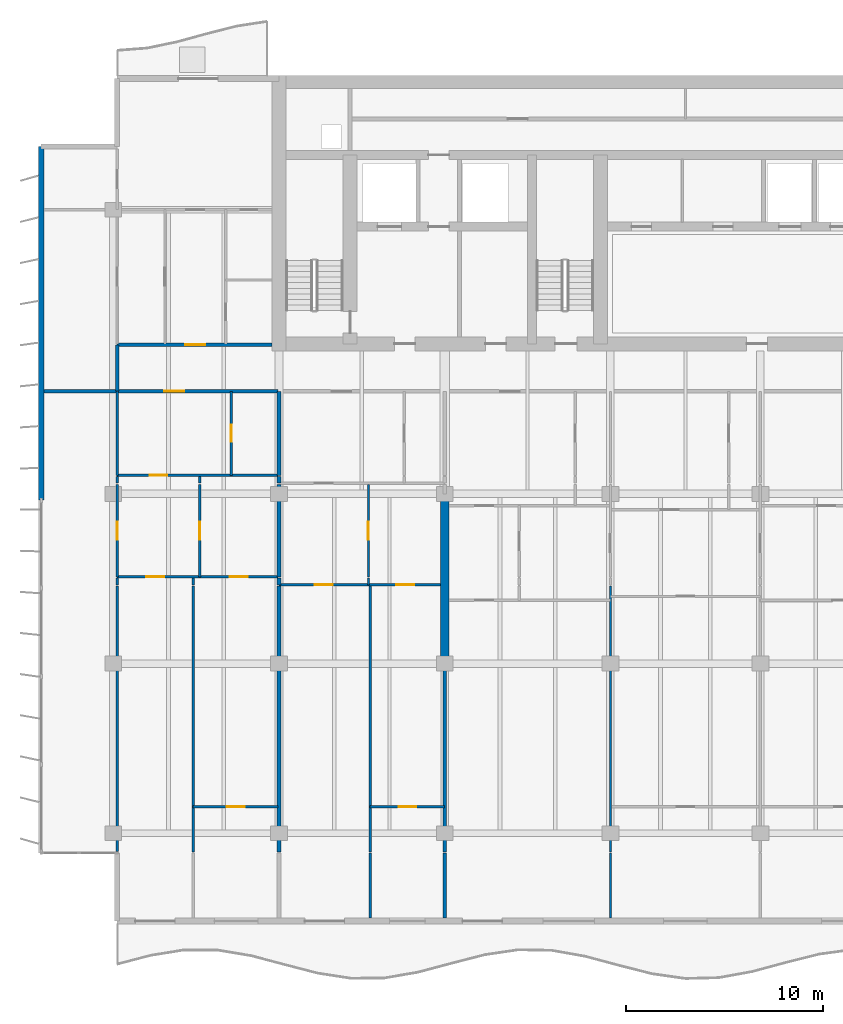
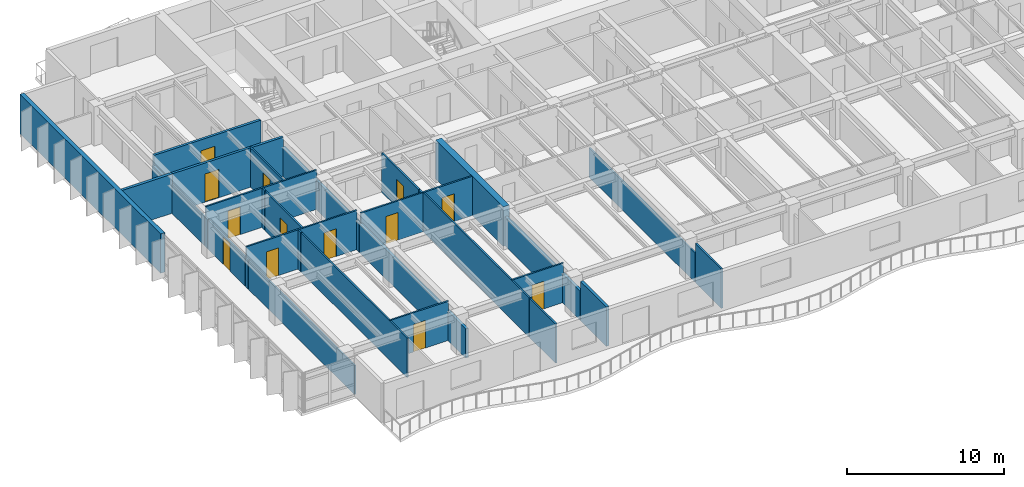
# One storey, part 8 of 18: 34 walls, 13 doors, 13 openings.
"""IFC4 building model written with IfcOpenShell, lengths in metres."""

import ifcopenshell
import ifcopenshell.guid

model = None  # the IFC model being written
_history = None  # IfcOwnerHistory: only IFC2X3 demands one
_inside = {}  # id of a spatial element -> (the spatial element, [elements in it])
_under = {}  # id of a project, library or spatial element -> (it, [spatial elements below it])
_declared = {}  # id of a project -> (the project, [libraries it declares])
_typed = {}  # id of a type object -> (the type object, [elements of that type])
_made_of = {}  # id of a material, layer set ... -> (it, [elements and type objects made of it])


def new_model(schema):
    """Start an empty IFC model of exactly this schema.

    Asked for "IFC4X3", IfcOpenShell would pick the latest addendum, in which some entities
    have other attributes; the version numbers below select the first issue.
    IFC2X3 requires an IfcOwnerHistory on every rooted entity: one is made here for all.
    """
    global model, _history
    if schema == "IFC4X3":
        model = ifcopenshell.file(schema_version=(4, 3, 0, 0))
    else:
        model = ifcopenshell.file(schema=schema)
    _inside.clear()
    _under.clear()
    _declared.clear()
    _typed.clear()
    _made_of.clear()
    _history = None
    if model.schema == "IFC2X3":
        org = make("IfcOrganization", Name="unknown")
        user = make(
            "IfcPersonAndOrganization",
            ThePerson=make("IfcPerson", FamilyName="unknown"),
            TheOrganization=org,
        )
        app = make(
            "IfcApplication",
            ApplicationDeveloper=org,
            Version="unknown",
            ApplicationFullName="unknown",
            ApplicationIdentifier="unknown",
        )
        _history = make(
            "IfcOwnerHistory",
            OwningUser=user,
            OwningApplication=app,
            ChangeAction="ADDED",
            CreationDate=0,
        )
    return model


def make(cls, **values):
    """One entity of the class cls with the attributes given. An attribute that is None is left unset."""
    return model.create_entity(
        cls, **{name: value for name, value in values.items() if value is not None}
    )


def rooted(cls, **values):
    """An entity with a GlobalId (a new one), such as an element, a storey or a relation."""
    return make(cls, GlobalId=ifcopenshell.guid.new(), OwnerHistory=_history, **values)


def si_unit(unit_type, name, prefix=None):
    """IfcSIUnit, for example si_unit("LENGTHUNIT", "METRE", prefix="MILLI")."""
    return make("IfcSIUnit", UnitType=unit_type, Prefix=prefix, Name=name)


def assignment(units):
    """IfcUnitAssignment: the units of a project."""
    return None if units is None else make("IfcUnitAssignment", Units=units)


def point(xyz):
    """IfcCartesianPoint."""
    return None if xyz is None else make("IfcCartesianPoint", Coordinates=xyz)


def direction(xyz):
    """IfcDirection."""
    return None if xyz is None else make("IfcDirection", DirectionRatios=xyz)


def frame(location, z_axis=None, x_axis=None):
    """IfcAxis2Placement3D, a coordinate frame: its origin and axes. An axis left out is left unset."""
    return make(
        "IfcAxis2Placement3D",
        Location=point(location),
        Axis=direction(z_axis),
        RefDirection=direction(x_axis),
    )


def frame_2d(location, x_axis=None):
    """IfcAxis2Placement2D, a coordinate frame in the plane: its origin and x axis."""
    return make(
        "IfcAxis2Placement2D", Location=point(location), RefDirection=direction(x_axis)
    )


def origin():
    """The frame at (0, 0, 0) with its axes left unset."""
    return frame((0.0, 0.0, 0.0))


def place(relative_to, where):
    """IfcLocalPlacement: puts the frame where relative to a parent placement (None: the world)."""
    return make(
        "IfcLocalPlacement", PlacementRelTo=relative_to, RelativePlacement=where
    )


def context(
    kind, dimensions, precision=None, world=None, true_north=None, identifier=None
):
    """IfcGeometricRepresentationContext, for example the 3D "Model" context."""
    return make(
        "IfcGeometricRepresentationContext",
        ContextIdentifier=identifier,
        ContextType=kind,
        CoordinateSpaceDimension=dimensions,
        Precision=precision,
        WorldCoordinateSystem=world,
        TrueNorth=true_north,
    )


def subcontext(parent, identifier, kind, view, scale=None):
    """IfcGeometricRepresentationSubContext, for example "Body" below "Model"."""
    return make(
        "IfcGeometricRepresentationSubContext",
        ContextIdentifier=identifier,
        ContextType=kind,
        ParentContext=parent,
        TargetScale=scale,
        TargetView=view,
    )


def project(units=None, contexts=None):
    """IfcProject with its units and contexts."""
    return rooted(
        "IfcProject",
        Name="project",
        RepresentationContexts=contexts,
        UnitsInContext=assignment(units),
    )


def spatial(cls, under=None, at=None, **own):
    """A site, building, storey or space (cls), placed at a placement, below another one or the project."""
    s = rooted(cls, ObjectPlacement=at, **own)
    if under is not None:
        _under.setdefault(under.id(), (under, []))[1].append(s)
    return s


def profile(cls, at=None, kind="AREA", **sizes):
    """A parametric profile (cls). Its sizes go by their IFC names, for example OverallWidth=200.0."""
    return make(cls, ProfileType=kind, Position=at, **sizes)


def rectangle(**sizes):
    """IfcRectangleProfileDef."""
    return profile("IfcRectangleProfileDef", **sizes)


def extrude(swept, where, along, depth):
    """IfcExtrudedAreaSolid: the profile swept, set in the frame where, extruded along a direction by depth."""
    return make(
        "IfcExtrudedAreaSolid",
        SweptArea=swept,
        Position=where,
        ExtrudedDirection=direction(along),
        Depth=depth,
    )


def shape(context_of_items, identifier, shape_type, items):
    """IfcShapeRepresentation: the items that make up one representation, for example the "Body"."""
    return make(
        "IfcShapeRepresentation",
        ContextOfItems=context_of_items,
        RepresentationIdentifier=identifier,
        RepresentationType=shape_type,
        Items=items,
    )


def material(Name=None, Category=None):
    """IfcMaterial."""
    return make("IfcMaterial", Name=Name, Category=Category)


def layer(
    of_material, thickness, ventilated=None, Name=None, Category=None, Priority=None
):
    """IfcMaterialLayer: one layer of a wall or slab, of a material (None: an air gap)."""
    return make(
        "IfcMaterialLayer",
        Material=of_material,
        LayerThickness=thickness,
        IsVentilated=ventilated,
        Name=Name,
        Category=Category,
        Priority=Priority,
    )


def layer_set(layers, Name=None):
    """IfcMaterialLayerSet."""
    return make("IfcMaterialLayerSet", MaterialLayers=layers, LayerSetName=Name)


def made_of(thing, what):
    """Note that an element or type object is made of a material, layer set ...; save() writes the relation."""
    if what is not None:
        _made_of.setdefault(what.id(), (what, []))[1].append(thing)
    return thing


def type_object(cls, material=None, **own):
    """A type object (cls), such as IfcWallType, which elements share."""
    return made_of(rooted(cls, **own), material)


def element(
    cls,
    number,
    at=None,
    inside=None,
    cuts=None,
    type_object=None,
    material=None,
    context=None,
    identifier="Body",
    shape_type=None,
    held_by="IfcProductDefinitionShape",
    body=None,
    shapes=None,
    **own,
):
    """One element of the class cls, such as IfcWall. Its Tag is "e" and its number.

    at: its placement. inside: the storey or other place that contains it. cuts: it is an
    opening in that element (IfcRelVoidsElement). A single representation is given by context,
    identifier, shape_type and body (its items); several are given by shapes. held_by: the class
    of the entity that holds the representations. save() writes the other relations.
    """
    e = rooted(cls, Tag="e%d" % number, ObjectPlacement=at, **own)
    if body is not None:
        shapes = [shape(context, identifier, shape_type, body)]
    if shapes is not None:
        e.Representation = make(held_by, Representations=shapes)
    if inside is not None:
        _inside.setdefault(inside.id(), (inside, []))[1].append(e)
    if cuts is not None:
        rooted(
            "IfcRelVoidsElement", RelatingBuildingElement=cuts, RelatedOpeningElement=e
        )
    if type_object is not None:
        _typed.setdefault(type_object.id(), (type_object, []))[1].append(e)
    return made_of(e, material)


def fill(opening, filler):
    """IfcRelFillsElement: the door or window that sits in an opening."""
    return rooted(
        "IfcRelFillsElement",
        RelatingOpeningElement=opening,
        RelatedBuildingElement=filler,
    )


def aggregate(whole, parts):
    """IfcRelAggregates: a whole, such as a stair, and the parts it consists of."""
    return rooted("IfcRelAggregates", RelatingObject=whole, RelatedObjects=parts)


def save(model, path):
    """Write the relations noted so far, then the file.

    IfcRelAggregates (storeys below a building ...), IfcRelContainedInSpatialStructure (elements
    in a storey), IfcRelDefinesByType, IfcRelAssociatesMaterial and IfcRelDeclares: one each for
    every whole, place, type object, material and project.
    """
    for whole, parts in _under.values():
        aggregate(whole, parts)
    for where, things in _inside.values():
        rooted(
            "IfcRelContainedInSpatialStructure",
            RelatedElements=things,
            RelatingStructure=where,
        )
    for kind, things in _typed.values():
        rooted("IfcRelDefinesByType", RelatedObjects=things, RelatingType=kind)
    for what, things in _made_of.values():
        rooted("IfcRelAssociatesMaterial", RelatedObjects=things, RelatingMaterial=what)
    for by, libraries in _declared.values():
        rooted("IfcRelDeclares", RelatingContext=by, RelatedDefinitions=libraries)
    model.write(path)


model = new_model("IFC4")

# Units and contexts
model_context = context("Model", 3, precision=1e-05, world=origin(), true_north=direction((0.0, 1.0)))
body_context = subcontext(model_context, "Body", "Model", "MODEL_VIEW")
ifc_project = project(units=[si_unit("LENGTHUNIT", "METRE"), si_unit("AREAUNIT", "SQUARE_METRE"), si_unit("VOLUMEUNIT", "CUBIC_METRE"), si_unit("PLANEANGLEUNIT", "RADIAN"), si_unit("MASSUNIT", "GRAM", prefix="KILO")], contexts=[model_context])

# Site, building, storey
site_placement = place(None, origin())
site = spatial("IfcSite", under=ifc_project, at=site_placement, CompositionType="ELEMENT")
building_placement = place(site_placement, origin())
building = spatial("IfcBuilding", under=site, at=building_placement, Name="Caelmar Bay Residences", CompositionType="ELEMENT")
storey_placement = place(building_placement, frame((0.0, 0.0, 173.699951171875)))
storey = spatial("IfcBuildingStorey", under=building, at=storey_placement, Name="L48", CompositionType="ELEMENT", Elevation=173.699951171875)

# Walls
ifc_material_1 = material(Name="Concrete f'c 55 MPa (8,000 psi)", Category="concrete")
ifc_layer_1 = layer(ifc_material_1, 0.449951171875)
ifc_layer_set_1 = layer_set([ifc_layer_1], Name="Concrete f'c 55 MPa (8,000 psi)")
wall_type_1 = type_object("IfcWallType", Name="SW-XSLB-450", PredefinedType="SHEAR", material=ifc_layer_set_1)
wall_1_placement = place(storey_placement, frame((26.699951171875, 20.800048828125, 0.0), z_axis=(0.0, 0.0, 1.0), x_axis=(0.0, 1.0, 0.0)))
element("IfcWall", 1, at=wall_1_placement, inside=storey, type_object=wall_type_1, Name="L48 Transverse Cross-Slab Shear Wall W5", PredefinedType="SHEAR", context=body_context, shape_type="SweptSolid", body=[
    extrude(rectangle(XDim=8.599853515625, YDim=0.449951171875, at=frame_2d((4.2998046875, 0.0))), origin(), (0.0, 0.0, 1.0), 3.050048828125),
])
ifc_material_2 = material(Name="Double-stud acoustic fire-rated gypsum partition 180 mm")
ifc_layer_2 = layer(ifc_material_2, 0.179931640625)
ifc_layer_set_2 = layer_set([ifc_layer_2], Name="Double-stud acoustic fire-rated gypsum partition 180 mm")
wall_type_2 = type_object("IfcWallType", Name="W-COR-200", PredefinedType="PARTITIONING", material=ifc_layer_set_2)
wall_2_placement = place(storey_placement, frame((10.10009765625, 34.60498046875, 0.0), z_axis=(0.0, 0.0, 1.0), x_axis=(0.0, 1.0, 0.0)))
element("IfcWall", 2, at=wall_2_placement, inside=storey, type_object=wall_type_2, Name="L48 Partition Wall V006", PredefinedType="PARTITIONING", context=body_context, shape_type="SweptSolid", body=[
    extrude(rectangle(XDim=2.344970703125, YDim=0.179931640625, at=frame_2d((1.17236328125, 0.0))), origin(), (0.0, 0.0, 1.0), 2.262939453125),
])

# Wall, opening, door
wall_3_placement = place(storey_placement, frame((10.10498046875, 34.60009765625, 0.0), z_axis=(0.0, 0.0, 1.0), x_axis=(1.0, 0.0, 0.0)))
wall_3 = element("IfcWall", 3, at=wall_3_placement, inside=storey, type_object=wall_type_2, Name="L48 Partition Wall H127", PredefinedType="PARTITIONING", context=body_context, shape_type="SweptSolid", body=[
    extrude(rectangle(XDim=8.14501953125, YDim=0.179931640625, at=frame_2d((4.072509765625, 0.0))), origin(), (0.0, 0.0, 1.0), 3.050048828125),
])
opening_1_placement = place(wall_3_placement, frame((2.388427734375, 0.0, 0.0)))
opening_1 = element("IfcOpeningElement", 4, at=opening_1_placement, cuts=wall_3, Name="Opening D-L48-120", PredefinedType="OPENING", context=body_context, shape_type="SweptSolid", body=[
    extrude(rectangle(XDim=1.0, YDim=2.199951171875, at=frame_2d((0.5, 1.10009765625))), frame((0.0, 0.099853515625, 0.0), z_axis=(0.0, -1.0, 0.0), x_axis=(1.0, 0.0, 0.0)), (0.0, 0.0, 1.0), 0.199951171875),
])
ifc_material_3 = material(Name="Fire-rated steel and walnut architectural door assembly", Category="steel")
ifc_layer_3 = layer(ifc_material_3, 0.050048828125)
ifc_layer_set_3 = layer_set([ifc_layer_3], Name="Fire-rated steel and walnut architectural door assembly")
door_type_1 = type_object("IfcDoorType", Name="D-UNIT-1000", OperationType="NOTDEFINED", PredefinedType="DOOR", material=ifc_layer_set_3)
door_1_placement = place(opening_1_placement, origin())
door_1 = element("IfcDoor", 5, at=door_1_placement, inside=storey, type_object=door_type_1, Name="L48 Residence 01 Apartment Hall Door", OperationType="SINGLE_SWING_LEFT", OverallHeight=2.199951171875, OverallWidth=1.0, PredefinedType="DOOR", context=body_context, shape_type="SweptSolid", body=[
    extrude(rectangle(XDim=1.0, YDim=2.199951171875, at=frame_2d((0.5, 1.10009765625))), frame((0.0, 0.02490234375, 0.0), z_axis=(0.0, -1.0, 0.0), x_axis=(1.0, 0.0, 0.0)), (0.0, 0.0, 1.0), 0.050048828125),
])
fill(opening_1, door_1)

wall_4_placement = place(storey_placement, frame((10.10009765625, 36.949951171875, 0.0), z_axis=(0.0, 0.0, 1.0), x_axis=(1.0, 0.0, 0.0)))
wall_4 = element("IfcWall", 6, at=wall_4_placement, inside=storey, type_object=wall_type_2, Name="L48 Partition Wall H132", PredefinedType="PARTITIONING", context=body_context, shape_type="SweptSolid", body=[
    extrude(rectangle(XDim=7.844970703125, YDim=0.179931640625, at=frame_2d((3.92236328125, 0.0))), origin(), (0.0, 0.0, 1.0), 3.050048828125),
])
opening_2_placement = place(wall_4_placement, frame((3.4599609375, 0.0, 0.0)))
opening_2 = element("IfcOpeningElement", 7, at=opening_2_placement, cuts=wall_4, Name="Opening D-L48-166", PredefinedType="OPENING", context=body_context, shape_type="SweptSolid", body=[
    extrude(rectangle(XDim=1.0, YDim=2.199951171875, at=frame_2d((0.5, 1.10009765625))), frame((0.0, 0.099853515625, 0.0), z_axis=(0.0, -1.0, 0.0), x_axis=(1.0, 0.0, 0.0)), (0.0, 0.0, 1.0), 0.199951171875),
])
door_2_placement = place(opening_2_placement, origin())
door_2 = element("IfcDoor", 8, at=door_2_placement, inside=storey, type_object=door_type_1, Name="L48 Residence WA Kitchen Door", OperationType="SINGLE_SWING_LEFT", OverallHeight=2.199951171875, OverallWidth=1.0, PredefinedType="DOOR", context=body_context, shape_type="SweptSolid", body=[
    extrude(rectangle(XDim=1.0, YDim=2.199951171875, at=frame_2d((0.5, 1.10009765625))), frame((0.0, 0.02490234375, 0.0), z_axis=(0.0, -1.0, 0.0), x_axis=(1.0, 0.0, 0.0)), (0.0, 0.0, 1.0), 0.050048828125),
])
fill(opening_2, door_2)

# Walls
ifc_material_4 = material(Name="Precast concrete f'c 40 MPa (6,000 psi)", Category="concrete")
ifc_layer_4 = layer(ifc_material_4, 0.300048828125)
ifc_layer_set_4 = layer_set([ifc_layer_4], Name="Precast concrete f'c 40 MPa (6,000 psi)")
wall_type_3 = type_object("IfcWallType", Name="W-EXT-300", PredefinedType="STANDARD", material=ifc_layer_set_4)
wall_5_placement = place(storey_placement, frame((6.25, 29.10009765625, 0.0), z_axis=(0.0, 0.0, 1.0), x_axis=(0.0, 1.0, 0.0)))
element("IfcWall", 9, at=wall_5_placement, inside=storey, type_object=wall_type_3, Name="L48 West Rear Exterior Wall", PredefinedType="STANDARD", context=body_context, shape_type="SweptSolid", body=[
    extrude(rectangle(XDim=17.89990234375, YDim=0.300048828125, at=frame_2d((8.949951171875, 0.0))), origin(), (0.0, 0.0, 1.0), 3.050048828125),
])
ifc_material_5 = material(Name="Acoustic metal-stud gypsum partition 120 mm")
ifc_layer_5 = layer(ifc_material_5, 0.1201171875)
ifc_layer_set_5 = layer_set([ifc_layer_5], Name="Acoustic metal-stud gypsum partition 120 mm")
wall_type_4 = type_object("IfcWallType", Name="W-PRT-120", PredefinedType="PARTITIONING", material=ifc_layer_set_5)
wall_6_placement = place(storey_placement, frame((10.10009765625, 11.284912109375, 0.0), z_axis=(0.0, 0.0, 1.0), x_axis=(0.0, 1.0, 0.0)))
element("IfcWall", 10, at=wall_6_placement, inside=storey, type_object=wall_type_4, Name="L48 Partition Wall V001", PredefinedType="PARTITIONING", context=body_context, shape_type="SweptSolid", body=[
    extrude(rectangle(XDim=13.445068359375, YDim=0.1201171875, at=frame_2d((6.72265625, 0.0))), origin(), (0.0, 0.0, 1.0), 2.262939453125),
])
wall_7_placement = place(storey_placement, frame((10.10009765625, 24.7900390625, 0.0), z_axis=(0.0, 0.0, 1.0), x_axis=(0.0, 1.0, 0.0)))
element("IfcWall", 11, at=wall_7_placement, inside=storey, type_object=wall_type_4, Name="L48 Partition Wall V002", PredefinedType="PARTITIONING", context=body_context, shape_type="SweptSolid", body=[
    extrude(rectangle(XDim=0.33984375, YDim=0.1201171875, at=frame_2d((0.169921875, 0.0))), origin(), (0.0, 0.0, 1.0), 2.262939453125),
])

# Wall, opening, door
wall_8_placement = place(storey_placement, frame((10.10009765625, 25.18994140625, 0.0), z_axis=(0.0, 0.0, 1.0), x_axis=(0.0, 1.0, 0.0)))
wall_8 = element("IfcWall", 12, at=wall_8_placement, inside=storey, type_object=wall_type_4, Name="L48 Partition Wall V003", PredefinedType="PARTITIONING", context=body_context, shape_type="SweptSolid", body=[
    extrude(rectangle(XDim=4.68994140625, YDim=0.1201171875, at=frame_2d((2.344970703125, 0.0))), origin(), (0.0, 0.0, 1.0), 2.262939453125),
])
opening_3_placement = place(wall_8_placement, frame((1.89501953125, 0.0, 0.0)))
opening_3 = element("IfcOpeningElement", 13, at=opening_3_placement, cuts=wall_8, Name="Opening D-L48-163", PredefinedType="OPENING", context=body_context, shape_type="SweptSolid", body=[
    extrude(rectangle(XDim=0.89990234375, YDim=2.14990234375, at=frame_2d((0.449951171875, 1.074951171875))), frame((0.0, 0.070068359375, 0.0), z_axis=(0.0, -1.0, 0.0), x_axis=(1.0, 0.0, 0.0)), (0.0, 0.0, 1.0), 0.14013671875),
])
ifc_material_6 = material(Name="Solid walnut timber interior door leaf and frame", Category="wood")
ifc_layer_6 = layer(ifc_material_6, 0.050048828125)
ifc_layer_set_6 = layer_set([ifc_layer_6], Name="Solid walnut timber interior door leaf and frame")
door_type_2 = type_object("IfcDoorType", Name="D-ROOM-900", OperationType="NOTDEFINED", PredefinedType="DOOR", material=ifc_layer_set_6)
door_3_placement = place(opening_3_placement, origin())
door_3 = element("IfcDoor", 14, at=door_3_placement, inside=storey, type_object=door_type_2, Name="L48 Residence 01 Penthouse West Salon Door", OperationType="SINGLE_SWING_RIGHT", OverallHeight=2.14990234375, OverallWidth=0.89990234375, PredefinedType="DOOR", context=body_context, shape_type="SweptSolid", body=[
    extrude(rectangle(XDim=0.89990234375, YDim=2.14990234375, at=frame_2d((0.449951171875, 1.074951171875))), frame((0.0, 0.02490234375, 0.0), z_axis=(0.0, -1.0, 0.0), x_axis=(1.0, 0.0, 0.0)), (0.0, 0.0, 1.0), 0.050048828125),
])
fill(opening_3, door_3)

# Walls
wall_9_placement = place(storey_placement, frame((10.10009765625, 29.93994140625, 0.0), z_axis=(0.0, 0.0, 1.0), x_axis=(0.0, 1.0, 0.0)))
element("IfcWall", 15, at=wall_9_placement, inside=storey, type_object=wall_type_4, Name="L48 Partition Wall V004", PredefinedType="PARTITIONING", context=body_context, shape_type="SweptSolid", body=[
    extrude(rectangle(XDim=0.340087890625, YDim=0.1201171875, at=frame_2d((0.169921875, 0.0))), origin(), (0.0, 0.0, 1.0), 2.262939453125),
])
wall_10_placement = place(storey_placement, frame((10.10009765625, 30.340087890625, 0.0), z_axis=(0.0, 0.0, 1.0), x_axis=(0.0, 1.0, 0.0)))
element("IfcWall", 16, at=wall_10_placement, inside=storey, type_object=wall_type_4, Name="L48 Partition Wall V005", PredefinedType="PARTITIONING", context=body_context, shape_type="SweptSolid", body=[
    extrude(rectangle(XDim=4.260009765625, YDim=0.1201171875, at=frame_2d((2.1298828125, 0.0))), origin(), (0.0, 0.0, 1.0), 2.262939453125),
])
wall_11_placement = place(storey_placement, frame((13.9541015625, 11.239990234375, 0.0), z_axis=(0.0, 0.0, 1.0), x_axis=(0.0, 1.0, 0.0)))
element("IfcWall", 17, at=wall_11_placement, inside=storey, type_object=wall_type_4, Name="L48 Partition Wall V011", PredefinedType="PARTITIONING", context=body_context, shape_type="SweptSolid", body=[
    extrude(rectangle(XDim=13.489990234375, YDim=0.1201171875, at=frame_2d((6.7451171875, 0.0))), origin(), (0.0, 0.0, 1.0), 3.050048828125),
])
wall_12_placement = place(storey_placement, frame((13.9541015625, 24.7900390625, 0.0), z_axis=(0.0, 0.0, 1.0), x_axis=(0.0, 1.0, 0.0)))
element("IfcWall", 18, at=wall_12_placement, inside=storey, type_object=wall_type_4, Name="L48 Partition Wall V012", PredefinedType="PARTITIONING", context=body_context, shape_type="SweptSolid", body=[
    extrude(rectangle(XDim=0.33984375, YDim=0.1201171875, at=frame_2d((0.169921875, 0.0))), origin(), (0.0, 0.0, 1.0), 3.050048828125),
])

# Wall, opening, door
wall_13_placement = place(storey_placement, frame((14.278076171875, 25.18994140625, 0.0), z_axis=(0.0, 0.0, 1.0), x_axis=(0.0, 1.0, 0.0)))
wall_13 = element("IfcWall", 19, at=wall_13_placement, inside=storey, type_object=wall_type_4, Name="L48 Partition Wall V013", PredefinedType="PARTITIONING", context=body_context, shape_type="SweptSolid", body=[
    extrude(rectangle(XDim=4.68994140625, YDim=0.1201171875, at=frame_2d((2.344970703125, 0.0))), origin(), (0.0, 0.0, 1.0), 3.050048828125),
])
opening_4_placement = place(wall_13_placement, frame((1.89501953125, 0.0, 0.0)))
opening_4 = element("IfcOpeningElement", 20, at=opening_4_placement, cuts=wall_13, Name="Opening D-L48-123", PredefinedType="OPENING", context=body_context, shape_type="SweptSolid", body=[
    extrude(rectangle(XDim=0.89990234375, YDim=2.14990234375, at=frame_2d((0.449951171875, 1.074951171875))), frame((0.0, 0.070068359375, 0.0), z_axis=(0.0, -1.0, 0.0), x_axis=(1.0, 0.0, 0.0)), (0.0, 0.0, 1.0), 0.14013671875),
])
door_4_placement = place(opening_4_placement, origin())
door_4 = element("IfcDoor", 21, at=door_4_placement, inside=storey, type_object=door_type_2, Name="L48 Residence 01 Formal Dining Room Door", OperationType="SINGLE_SWING_RIGHT", OverallHeight=2.14990234375, OverallWidth=0.89990234375, PredefinedType="DOOR", context=body_context, shape_type="SweptSolid", body=[
    extrude(rectangle(XDim=0.89990234375, YDim=2.14990234375, at=frame_2d((0.449951171875, 1.074951171875))), frame((0.0, 0.02490234375, 0.0), z_axis=(0.0, -1.0, 0.0), x_axis=(1.0, 0.0, 0.0)), (0.0, 0.0, 1.0), 0.050048828125),
])
fill(opening_4, door_4)

# Wall
wall_14_placement = place(storey_placement, frame((14.278076171875, 29.93994140625, 0.0), z_axis=(0.0, 0.0, 1.0), x_axis=(0.0, 1.0, 0.0)))
element("IfcWall", 22, at=wall_14_placement, inside=storey, type_object=wall_type_4, Name="L48 Partition Wall V014", PredefinedType="PARTITIONING", context=body_context, shape_type="SweptSolid", body=[
    extrude(rectangle(XDim=0.340087890625, YDim=0.1201171875, at=frame_2d((0.169921875, 0.0))), origin(), (0.0, 0.0, 1.0), 3.050048828125),
])

# Wall, opening, door
wall_15_placement = place(storey_placement, frame((15.882080078125, 30.340087890625, 0.0), z_axis=(0.0, 0.0, 1.0), x_axis=(0.0, 1.0, 0.0)))
wall_15 = element("IfcWall", 23, at=wall_15_placement, inside=storey, type_object=wall_type_4, Name="L48 Partition Wall V016", PredefinedType="PARTITIONING", context=body_context, shape_type="SweptSolid", body=[
    extrude(rectangle(XDim=4.260009765625, YDim=0.1201171875, at=frame_2d((2.1298828125, 0.0))), origin(), (0.0, 0.0, 1.0), 3.050048828125),
])
opening_5_placement = place(wall_15_placement, frame((1.705078125, 0.0, 0.0)))
opening_5 = element("IfcOpeningElement", 24, at=opening_5_placement, cuts=wall_15, Name="Opening D-L48-121", PredefinedType="OPENING", context=body_context, shape_type="SweptSolid", body=[
    extrude(rectangle(XDim=0.85009765625, YDim=2.10009765625, at=frame_2d((0.425048828125, 1.050048828125))), frame((0.0, 0.070068359375, 0.0), z_axis=(0.0, -1.0, 0.0), x_axis=(1.0, 0.0, 0.0)), (0.0, 0.0, 1.0), 0.14013671875),
])
ifc_layer_7 = layer(ifc_material_6, 0.050048828125)
ifc_layer_set_7 = layer_set([ifc_layer_7], Name="Solid walnut timber interior door leaf and frame")
door_type_3 = type_object("IfcDoorType", Name="D-BATH-850", OperationType="NOTDEFINED", PredefinedType="DOOR", material=ifc_layer_set_7)
door_5_placement = place(opening_5_placement, origin())
door_5 = element("IfcDoor", 25, at=door_5_placement, inside=storey, type_object=door_type_3, Name="L48 Residence 01 Bathroom Door", OperationType="SINGLE_SWING_RIGHT", OverallHeight=2.10009765625, OverallWidth=0.85009765625, PredefinedType="DOOR", context=body_context, shape_type="SweptSolid", body=[
    extrude(rectangle(XDim=0.85009765625, YDim=2.10009765625, at=frame_2d((0.425048828125, 1.050048828125))), frame((0.0, 0.02490234375, 0.0), z_axis=(0.0, -1.0, 0.0), x_axis=(1.0, 0.0, 0.0)), (0.0, 0.0, 1.0), 0.050048828125),
])
fill(opening_5, door_5)

# Wall
wall_16_placement = place(storey_placement, frame((22.8359375, 24.7900390625, 0.0), z_axis=(0.0, 0.0, 1.0), x_axis=(0.0, 1.0, 0.0)))
element("IfcWall", 26, at=wall_16_placement, inside=storey, type_object=wall_type_4, Name="L48 Partition Wall V024", PredefinedType="PARTITIONING", context=body_context, shape_type="SweptSolid", body=[
    extrude(rectangle(XDim=0.33984375, YDim=0.1201171875, at=frame_2d((0.169921875, 0.0))), origin(), (0.0, 0.0, 1.0), 3.050048828125),
])

# Wall, opening, door
wall_17_placement = place(storey_placement, frame((22.8359375, 25.18994140625, 0.0), z_axis=(0.0, 0.0, 1.0), x_axis=(0.0, 1.0, 0.0)))
wall_17 = element("IfcWall", 27, at=wall_17_placement, inside=storey, type_object=wall_type_4, Name="L48 Partition Wall V025", PredefinedType="PARTITIONING", context=body_context, shape_type="SweptSolid", body=[
    extrude(rectangle(XDim=4.68994140625, YDim=0.1201171875, at=frame_2d((2.344970703125, 0.0))), origin(), (0.0, 0.0, 1.0), 3.050048828125),
])
opening_6_placement = place(wall_17_placement, frame((1.89501953125, 0.0, 0.0)))
opening_6 = element("IfcOpeningElement", 28, at=opening_6_placement, cuts=wall_17, Name="Opening D-L48-130", PredefinedType="OPENING", context=body_context, shape_type="SweptSolid", body=[
    extrude(rectangle(XDim=0.89990234375, YDim=2.14990234375, at=frame_2d((0.449951171875, 1.074951171875))), frame((0.0, 0.070068359375, 0.0), z_axis=(0.0, -1.0, 0.0), x_axis=(1.0, 0.0, 0.0)), (0.0, 0.0, 1.0), 0.14013671875),
])
door_6_placement = place(opening_6_placement, origin())
door_6 = element("IfcDoor", 29, at=door_6_placement, inside=storey, type_object=door_type_2, Name="L48 Residence 02 Formal Dining Room Door", OperationType="SINGLE_SWING_LEFT", OverallHeight=2.14990234375, OverallWidth=0.89990234375, PredefinedType="DOOR", context=body_context, shape_type="SweptSolid", body=[
    extrude(rectangle(XDim=0.89990234375, YDim=2.14990234375, at=frame_2d((0.449951171875, 1.074951171875))), frame((0.0, 0.02490234375, 0.0), z_axis=(0.0, -1.0, 0.0), x_axis=(1.0, 0.0, 0.0)), (0.0, 0.0, 1.0), 0.050048828125),
])
fill(opening_6, door_6)

# Walls
wall_18_placement = place(storey_placement, frame((22.919921875, 7.89501953125, 0.0), z_axis=(0.0, 0.0, 1.0), x_axis=(0.0, 1.0, 0.0)))
element("IfcWall", 30, at=wall_18_placement, inside=storey, type_object=wall_type_4, Name="L48 Partition Wall V026", PredefinedType="PARTITIONING", context=body_context, shape_type="SweptSolid", body=[
    extrude(rectangle(XDim=3.304931640625, YDim=0.1201171875, at=frame_2d((1.65234375, 0.0))), origin(), (0.0, 0.0, 1.0), 3.050048828125),
])
wall_19_placement = place(storey_placement, frame((22.919921875, 11.239990234375, 0.0), z_axis=(0.0, 0.0, 1.0), x_axis=(0.0, 1.0, 0.0)))
element("IfcWall", 31, at=wall_19_placement, inside=storey, type_object=wall_type_4, Name="L48 Partition Wall V027", PredefinedType="PARTITIONING", context=body_context, shape_type="SweptSolid", body=[
    extrude(rectangle(XDim=13.489990234375, YDim=0.1201171875, at=frame_2d((6.7451171875, 0.0))), origin(), (0.0, 0.0, 1.0), 3.050048828125),
])
wall_20_placement = place(storey_placement, frame((35.10009765625, 7.89501953125, 0.0), z_axis=(0.0, 0.0, 1.0), x_axis=(0.0, 1.0, 0.0)))
element("IfcWall", 32, at=wall_20_placement, inside=storey, type_object=wall_type_4, Name="L48 Partition Wall V044", PredefinedType="PARTITIONING", context=body_context, shape_type="SweptSolid", body=[
    extrude(rectangle(XDim=3.304931640625, YDim=0.1201171875, at=frame_2d((1.65234375, 0.0))), origin(), (0.0, 0.0, 1.0), 3.050048828125),
])
wall_21_placement = place(storey_placement, frame((35.10009765625, 11.239990234375, 0.0), z_axis=(0.0, 0.0, 1.0), x_axis=(0.0, 1.0, 0.0)))
element("IfcWall", 33, at=wall_21_placement, inside=storey, type_object=wall_type_4, Name="L48 Partition Wall V045", PredefinedType="PARTITIONING", context=body_context, shape_type="SweptSolid", body=[
    extrude(rectangle(XDim=13.489990234375, YDim=0.1201171875, at=frame_2d((6.7451171875, 0.0))), origin(), (0.0, 0.0, 1.0), 2.262939453125),
])

# Wall, opening, door
wall_22_placement = place(storey_placement, frame((13.9541015625, 13.550048828125, 0.0), z_axis=(0.0, 0.0, 1.0), x_axis=(1.0, 0.0, 0.0)))
wall_22 = element("IfcWall", 34, at=wall_22_placement, inside=storey, type_object=wall_type_4, Name="L48 Partition Wall H104", PredefinedType="PARTITIONING", context=body_context, shape_type="SweptSolid", body=[
    extrude(rectangle(XDim=4.2958984375, YDim=0.1201171875, at=frame_2d((2.14794921875, 0.0))), origin(), (0.0, 0.0, 1.0), 3.050048828125),
])
opening_7_placement = place(wall_22_placement, frame((1.697998046875, 0.0, 0.0)))
opening_7 = element("IfcOpeningElement", 35, at=opening_7_placement, cuts=wall_22, Name="Opening D-L48-126", PredefinedType="OPENING", context=body_context, shape_type="SweptSolid", body=[
    extrude(rectangle(XDim=0.89990234375, YDim=2.14990234375, at=frame_2d((0.449951171875, 1.074951171875))), frame((0.0, 0.070068359375, 0.0), z_axis=(0.0, -1.0, 0.0), x_axis=(1.0, 0.0, 0.0)), (0.0, 0.0, 1.0), 0.14013671875),
])
door_7_placement = place(opening_7_placement, origin())
door_7 = element("IfcDoor", 36, at=door_7_placement, inside=storey, type_object=door_type_2, Name="L48 Residence 01 Primary Bedroom Door", OperationType="SINGLE_SWING_LEFT", OverallHeight=2.14990234375, OverallWidth=0.89990234375, PredefinedType="DOOR", context=body_context, shape_type="SweptSolid", body=[
    extrude(rectangle(XDim=0.89990234375, YDim=2.14990234375, at=frame_2d((0.449951171875, 1.074951171875))), frame((0.0, 0.02490234375, 0.0), z_axis=(0.0, -1.0, 0.0), x_axis=(1.0, 0.0, 0.0)), (0.0, 0.0, 1.0), 0.050048828125),
])
fill(opening_7, door_7)

wall_23_placement = place(storey_placement, frame((22.919921875, 13.550048828125, 0.0), z_axis=(0.0, 0.0, 1.0), x_axis=(1.0, 0.0, 0.0)))
wall_23 = element("IfcWall", 37, at=wall_23_placement, inside=storey, type_object=wall_type_4, Name="L48 Partition Wall H105", PredefinedType="PARTITIONING", context=body_context, shape_type="SweptSolid", body=[
    extrude(rectangle(XDim=3.780029296875, YDim=0.1201171875, at=frame_2d((1.89013671875, 0.0))), origin(), (0.0, 0.0, 1.0), 3.050048828125),
])
opening_8_placement = place(wall_23_placement, frame((1.43994140625, 0.0, 0.0)))
opening_8 = element("IfcOpeningElement", 38, at=opening_8_placement, cuts=wall_23, Name="Opening D-L48-133", PredefinedType="OPENING", context=body_context, shape_type="SweptSolid", body=[
    extrude(rectangle(XDim=0.89990234375, YDim=2.14990234375, at=frame_2d((0.449951171875, 1.074951171875))), frame((0.0, 0.070068359375, 0.0), z_axis=(0.0, -1.0, 0.0), x_axis=(1.0, 0.0, 0.0)), (0.0, 0.0, 1.0), 0.14013671875),
])
door_8_placement = place(opening_8_placement, origin())
door_8 = element("IfcDoor", 39, at=door_8_placement, inside=storey, type_object=door_type_2, Name="L48 Residence 02 Primary Bedroom Door", OperationType="SINGLE_SWING_RIGHT", OverallHeight=2.14990234375, OverallWidth=0.89990234375, PredefinedType="DOOR", context=body_context, shape_type="SweptSolid", body=[
    extrude(rectangle(XDim=0.89990234375, YDim=2.14990234375, at=frame_2d((0.449951171875, 1.074951171875))), frame((0.0, 0.02490234375, 0.0), z_axis=(0.0, -1.0, 0.0), x_axis=(1.0, 0.0, 0.0)), (0.0, 0.0, 1.0), 0.050048828125),
])
fill(opening_8, door_8)

# Wall, openings, doors
wall_24_placement = place(storey_placement, frame((18.300048828125, 24.7900390625, 0.0), z_axis=(0.0, 0.0, 1.0), x_axis=(1.0, 0.0, 0.0)))
wall_24 = element("IfcWall", 40, at=wall_24_placement, inside=storey, type_object=wall_type_4, Name="L48 Partition Wall H114", PredefinedType="PARTITIONING", context=body_context, shape_type="SweptSolid", body=[
    extrude(rectangle(XDim=8.179931640625, YDim=0.1201171875, at=frame_2d((4.08984375, 0.0))), origin(), (0.0, 0.0, 1.0), 3.050048828125),
])
opening_9_placement = place(wall_24_placement, frame((1.818115234375, 0.0, 0.0)))
opening_9 = element("IfcOpeningElement", 41, at=opening_9_placement, cuts=wall_24, Name="Opening D-L48-131", PredefinedType="OPENING", context=body_context, shape_type="SweptSolid", body=[
    extrude(rectangle(XDim=0.89990234375, YDim=2.14990234375, at=frame_2d((0.449951171875, 1.074951171875))), frame((0.0, 0.070068359375, 0.0), z_axis=(0.0, -1.0, 0.0), x_axis=(1.0, 0.0, 0.0)), (0.0, 0.0, 1.0), 0.14013671875),
])
opening_10_placement = place(wall_24_placement, frame((5.949951171875, 0.0, 0.0)))
opening_10 = element("IfcOpeningElement", 42, at=opening_10_placement, cuts=wall_24, Name="Opening D-L48-132", PredefinedType="OPENING", context=body_context, shape_type="SweptSolid", body=[
    extrude(rectangle(XDim=0.89990234375, YDim=2.14990234375, at=frame_2d((0.449951171875, 1.074951171875))), frame((0.0, 0.070068359375, 0.0), z_axis=(0.0, -1.0, 0.0), x_axis=(1.0, 0.0, 0.0)), (0.0, 0.0, 1.0), 0.14013671875),
])
door_9_placement = place(opening_9_placement, origin())
door_9 = element("IfcDoor", 43, at=door_9_placement, inside=storey, type_object=door_type_2, Name="L48 Residence 02 Penthouse Living Salon Door", OperationType="SINGLE_SWING_RIGHT", OverallHeight=2.14990234375, OverallWidth=0.89990234375, PredefinedType="DOOR", context=body_context, shape_type="SweptSolid", body=[
    extrude(rectangle(XDim=0.89990234375, YDim=2.14990234375, at=frame_2d((0.449951171875, 1.074951171875))), frame((0.0, 0.02490234375, 0.0), z_axis=(0.0, -1.0, 0.0), x_axis=(1.0, 0.0, 0.0)), (0.0, 0.0, 1.0), 0.050048828125),
])
fill(opening_9, door_9)
door_10_placement = place(opening_10_placement, origin())
door_10 = element("IfcDoor", 44, at=door_10_placement, inside=storey, type_object=door_type_2, Name="L48 Residence 02 Penthouse Sitting Room Door", OperationType="SINGLE_SWING_LEFT", OverallHeight=2.14990234375, OverallWidth=0.89990234375, PredefinedType="DOOR", context=body_context, shape_type="SweptSolid", body=[
    extrude(rectangle(XDim=0.89990234375, YDim=2.14990234375, at=frame_2d((0.449951171875, 1.074951171875))), frame((0.0, 0.02490234375, 0.0), z_axis=(0.0, -1.0, 0.0), x_axis=(1.0, 0.0, 0.0)), (0.0, 0.0, 1.0), 0.050048828125),
])
fill(opening_10, door_10)

wall_25_placement = place(storey_placement, frame((10.10009765625, 25.18994140625, 0.0), z_axis=(0.0, 0.0, 1.0), x_axis=(1.0, 0.0, 0.0)))
wall_25 = element("IfcWall", 45, at=wall_25_placement, inside=storey, type_object=wall_type_4, Name="L48 Partition Wall H117", PredefinedType="PARTITIONING", context=body_context, shape_type="SweptSolid", body=[
    extrude(rectangle(XDim=8.14990234375, YDim=0.1201171875, at=frame_2d((4.074951171875, 0.0))), origin(), (0.0, 0.0, 1.0), 3.050048828125),
])
opening_11_placement = place(wall_25_placement, frame((1.47705078125, 0.0, 0.0)))
opening_11 = element("IfcOpeningElement", 46, at=opening_11_placement, cuts=wall_25, Name="Opening D-L48-124", PredefinedType="OPENING", context=body_context, shape_type="SweptSolid", body=[
    extrude(rectangle(XDim=0.89990234375, YDim=2.14990234375, at=frame_2d((0.449951171875, 1.074951171875))), frame((0.0, 0.070068359375, 0.0), z_axis=(0.0, -1.0, 0.0), x_axis=(1.0, 0.0, 0.0)), (0.0, 0.0, 1.0), 0.14013671875),
])
opening_12_placement = place(wall_25_placement, frame((5.714111328125, 0.0, 0.0)))
opening_12 = element("IfcOpeningElement", 47, at=opening_12_placement, cuts=wall_25, Name="Opening D-L48-125", PredefinedType="OPENING", context=body_context, shape_type="SweptSolid", body=[
    extrude(rectangle(XDim=0.89990234375, YDim=2.14990234375, at=frame_2d((0.449951171875, 1.074951171875))), frame((0.0, 0.070068359375, 0.0), z_axis=(0.0, -1.0, 0.0), x_axis=(1.0, 0.0, 0.0)), (0.0, 0.0, 1.0), 0.14013671875),
])
door_11_placement = place(opening_11_placement, origin())
door_11 = element("IfcDoor", 48, at=door_11_placement, inside=storey, type_object=door_type_2, Name="L48 Residence 01 Living Room Door", OperationType="SINGLE_SWING_LEFT", OverallHeight=2.14990234375, OverallWidth=0.89990234375, PredefinedType="DOOR", context=body_context, shape_type="SweptSolid", body=[
    extrude(rectangle(XDim=0.89990234375, YDim=2.14990234375, at=frame_2d((0.449951171875, 1.074951171875))), frame((0.0, 0.02490234375, 0.0), z_axis=(0.0, -1.0, 0.0), x_axis=(1.0, 0.0, 0.0)), (0.0, 0.0, 1.0), 0.050048828125),
])
fill(opening_11, door_11)
door_12_placement = place(opening_12_placement, origin())
door_12 = element("IfcDoor", 49, at=door_12_placement, inside=storey, type_object=door_type_2, Name="L48 Residence 01 Penthouse Sitting Room Door", OperationType="SINGLE_SWING_RIGHT", OverallHeight=2.14990234375, OverallWidth=0.89990234375, PredefinedType="DOOR", context=body_context, shape_type="SweptSolid", body=[
    extrude(rectangle(XDim=0.89990234375, YDim=2.14990234375, at=frame_2d((0.449951171875, 1.074951171875))), frame((0.0, 0.02490234375, 0.0), z_axis=(0.0, -1.0, 0.0), x_axis=(1.0, 0.0, 0.0)), (0.0, 0.0, 1.0), 0.050048828125),
])
fill(opening_12, door_12)

# Wall, opening, door
wall_26_placement = place(storey_placement, frame((10.10009765625, 30.340087890625, 0.0), z_axis=(0.0, 0.0, 1.0), x_axis=(1.0, 0.0, 0.0)))
wall_26 = element("IfcWall", 50, at=wall_26_placement, inside=storey, type_object=wall_type_4, Name="L48 Partition Wall H125", PredefinedType="PARTITIONING", context=body_context, shape_type="SweptSolid", body=[
    extrude(rectangle(XDim=8.14990234375, YDim=0.1201171875, at=frame_2d((4.074951171875, 0.0))), origin(), (0.0, 0.0, 1.0), 3.050048828125),
])
opening_13_placement = place(wall_26_placement, frame((1.638916015625, 0.0, 0.0)))
opening_13 = element("IfcOpeningElement", 51, at=opening_13_placement, cuts=wall_26, Name="Opening D-L48-122", PredefinedType="OPENING", context=body_context, shape_type="SweptSolid", body=[
    extrude(rectangle(XDim=0.89990234375, YDim=2.14990234375, at=frame_2d((0.449951171875, 1.074951171875))), frame((0.0, 0.070068359375, 0.0), z_axis=(0.0, -1.0, 0.0), x_axis=(1.0, 0.0, 0.0)), (0.0, 0.0, 1.0), 0.14013671875),
])
door_13_placement = place(opening_13_placement, origin())
door_13 = element("IfcDoor", 52, at=door_13_placement, inside=storey, type_object=door_type_2, Name="L48 Residence 01 Kitchen Door", OperationType="SINGLE_SWING_LEFT", OverallHeight=2.14990234375, OverallWidth=0.89990234375, PredefinedType="DOOR", context=body_context, shape_type="SweptSolid", body=[
    extrude(rectangle(XDim=0.89990234375, YDim=2.14990234375, at=frame_2d((0.449951171875, 1.074951171875))), frame((0.0, 0.02490234375, 0.0), z_axis=(0.0, -1.0, 0.0), x_axis=(1.0, 0.0, 0.0)), (0.0, 0.0, 1.0), 0.050048828125),
])
fill(opening_13, door_13)

# Walls
ifc_material_7 = material(Name="Acoustic twin-stud fire-rated inter-tenancy partition 200 mm")
ifc_layer_8 = layer(ifc_material_7, 0.199951171875)
ifc_layer_set_8 = layer_set([ifc_layer_8], Name="Acoustic twin-stud fire-rated inter-tenancy partition 200 mm")
wall_type_5 = type_object("IfcWallType", Name="W-PTY-200", PredefinedType="PARTITIONING", material=ifc_layer_set_8)
wall_27_placement = place(storey_placement, frame((18.300048828125, 11.239990234375, 0.0), z_axis=(0.0, 0.0, 1.0), x_axis=(0.0, 1.0, 0.0)))
element("IfcWall", 53, at=wall_27_placement, inside=storey, type_object=wall_type_5, Name="L48 Partition Wall V018", PredefinedType="PARTITIONING", context=body_context, shape_type="SweptSolid", body=[
    extrude(rectangle(XDim=13.489990234375, YDim=0.199951171875, at=frame_2d((6.7451171875, 0.0))), origin(), (0.0, 0.0, 1.0), 2.262939453125),
])
wall_28_placement = place(storey_placement, frame((18.300048828125, 24.7900390625, 0.0), z_axis=(0.0, 0.0, 1.0), x_axis=(0.0, 1.0, 0.0)))
element("IfcWall", 54, at=wall_28_placement, inside=storey, type_object=wall_type_5, Name="L48 Partition Wall V019", PredefinedType="PARTITIONING", context=body_context, shape_type="SweptSolid", body=[
    extrude(rectangle(XDim=0.33984375, YDim=0.199951171875, at=frame_2d((0.169921875, 0.0))), origin(), (0.0, 0.0, 1.0), 2.262939453125),
])
wall_29_placement = place(storey_placement, frame((18.300048828125, 25.18994140625, 0.0), z_axis=(0.0, 0.0, 1.0), x_axis=(0.0, 1.0, 0.0)))
element("IfcWall", 55, at=wall_29_placement, inside=storey, type_object=wall_type_5, Name="L48 Partition Wall V020", PredefinedType="PARTITIONING", context=body_context, shape_type="SweptSolid", body=[
    extrude(rectangle(XDim=4.68994140625, YDim=0.199951171875, at=frame_2d((2.344970703125, 0.0))), origin(), (0.0, 0.0, 1.0), 2.262939453125),
])
wall_30_placement = place(storey_placement, frame((18.300048828125, 29.93994140625, 0.0), z_axis=(0.0, 0.0, 1.0), x_axis=(0.0, 1.0, 0.0)))
element("IfcWall", 56, at=wall_30_placement, inside=storey, type_object=wall_type_5, Name="L48 Partition Wall V021", PredefinedType="PARTITIONING", context=body_context, shape_type="SweptSolid", body=[
    extrude(rectangle(XDim=0.340087890625, YDim=0.199951171875, at=frame_2d((0.169921875, 0.0))), origin(), (0.0, 0.0, 1.0), 2.262939453125),
])
wall_31_placement = place(storey_placement, frame((18.300048828125, 30.340087890625, 0.0), z_axis=(0.0, 0.0, 1.0), x_axis=(0.0, 1.0, 0.0)))
element("IfcWall", 57, at=wall_31_placement, inside=storey, type_object=wall_type_5, Name="L48 Partition Wall V022", PredefinedType="PARTITIONING", context=body_context, shape_type="SweptSolid", body=[
    extrude(rectangle(XDim=4.260009765625, YDim=0.199951171875, at=frame_2d((2.1298828125, 0.0))), origin(), (0.0, 0.0, 1.0), 2.262939453125),
])
wall_32_placement = place(storey_placement, frame((26.699951171875, 7.89501953125, 0.0), z_axis=(0.0, 0.0, 1.0), x_axis=(0.0, 1.0, 0.0)))
element("IfcWall", 58, at=wall_32_placement, inside=storey, type_object=wall_type_5, Name="L48 Partition Wall V031", PredefinedType="PARTITIONING", context=body_context, shape_type="SweptSolid", body=[
    extrude(rectangle(XDim=3.304931640625, YDim=0.199951171875, at=frame_2d((1.65234375, 0.0))), origin(), (0.0, 0.0, 1.0), 3.050048828125),
])
wall_33_placement = place(storey_placement, frame((26.699951171875, 11.239990234375, 0.0), z_axis=(0.0, 0.0, 1.0), x_axis=(0.0, 1.0, 0.0)))
element("IfcWall", 59, at=wall_33_placement, inside=storey, type_object=wall_type_5, Name="L48 Partition Wall V032", PredefinedType="PARTITIONING", context=body_context, shape_type="SweptSolid", body=[
    extrude(rectangle(XDim=9.554931640625, YDim=0.199951171875, at=frame_2d((4.77734375, 0.0))), origin(), (0.0, 0.0, 1.0), 2.262939453125),
])
wall_34_placement = place(storey_placement, frame((6.39501953125, 34.60009765625, 0.0), z_axis=(0.0, 0.0, 1.0), x_axis=(1.0, 0.0, 0.0)))
element("IfcWall", 60, at=wall_34_placement, inside=storey, type_object=wall_type_5, Name="L48 Partition Wall H126", PredefinedType="PARTITIONING", context=body_context, shape_type="SweptSolid", body=[
    extrude(rectangle(XDim=3.705078125, YDim=0.199951171875, at=frame_2d((1.8525390625, 0.0))), origin(), (0.0, 0.0, 1.0), 3.050048828125),
])

save(model, "model.ifc")
